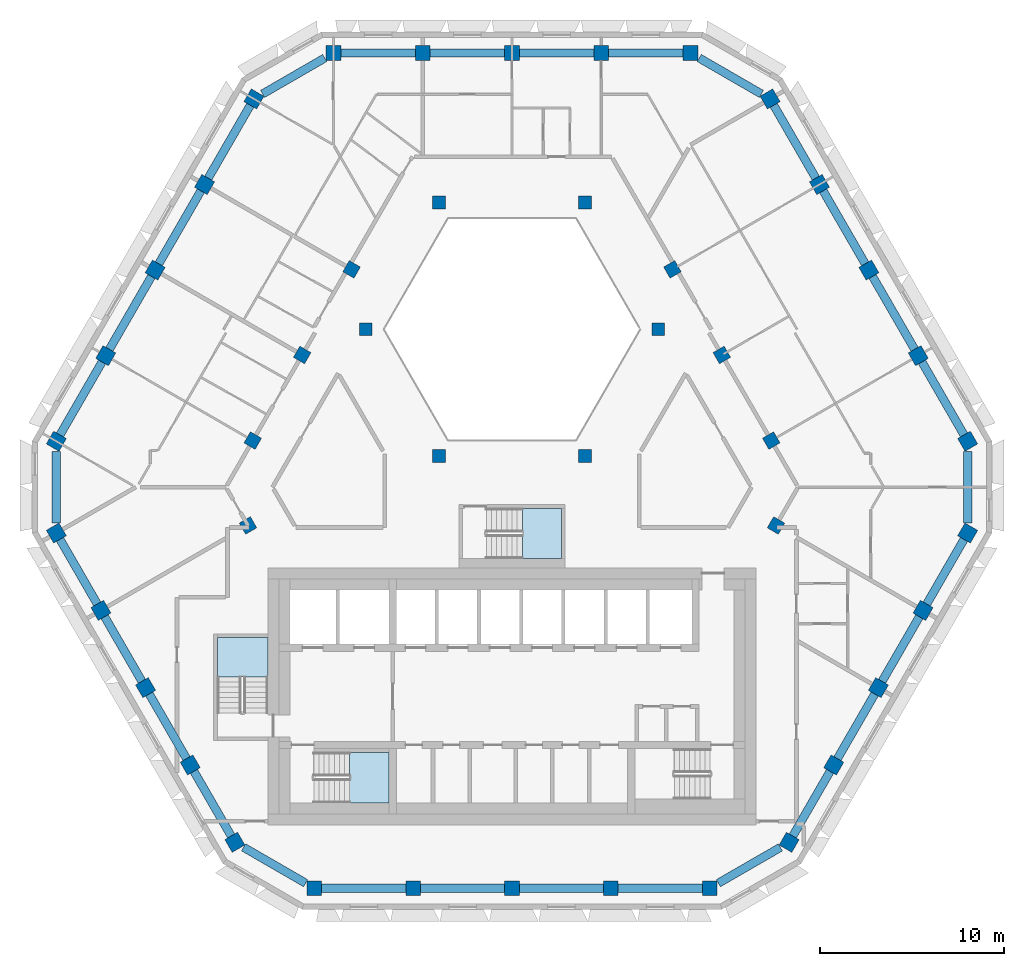
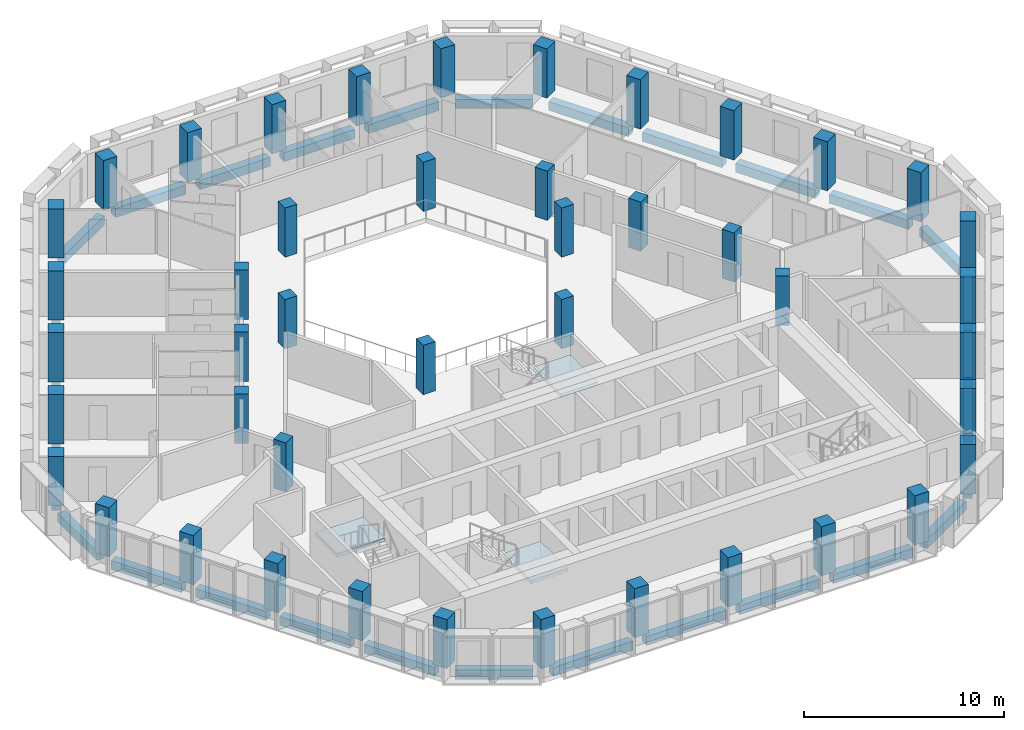
# One storey, part 1 of 15: 44 columns, 30 beams, 3 slabs, 3 elements without a shape of their own.
"""IFC4 building model written with IfcOpenShell, lengths in metres."""

from ifc_helpers import new_model, si_unit, direction, frame, origin, origin_2d, place, context, subcontext, project, spatial, polyline, rectangle, outline, extrude, material, layer, layer_set, material_profile, profile_set, type_object, element, aggregate, save


model = new_model("IFC4")

# Units and contexts
model_context = context("Model", 3, precision=1e-05, world=origin(), true_north=direction((0.0, 1.0)))
body_context = subcontext(model_context, "Body", "Model", "MODEL_VIEW")
ifc_project = project(units=[si_unit("LENGTHUNIT", "METRE"), si_unit("AREAUNIT", "SQUARE_METRE"), si_unit("VOLUMEUNIT", "CUBIC_METRE"), si_unit("PLANEANGLEUNIT", "RADIAN"), si_unit("MASSUNIT", "GRAM", prefix="KILO")], contexts=[model_context])

# Site, building, storey
site_placement = place(None, origin())
site = spatial("IfcSite", under=ifc_project, at=site_placement, CompositionType="ELEMENT")
building_placement = place(site_placement, origin())
building = spatial("IfcBuilding", under=site, at=building_placement, Name="Beryl Residences", CompositionType="ELEMENT")
storey_placement = place(building_placement, frame((0.0, 0.0, 175.199951171875)))
storey = spatial("IfcBuildingStorey", under=building, at=storey_placement, Name="L53", CompositionType="ELEMENT", Elevation=175.199951171875)

# Columns
ifc_material_1 = material(Name="Concrete C50/60", Category="concrete")
ifc_material_profile_1 = material_profile(ifc_material_1, rectangle(XDim=0.800048828125, YDim=0.800048828125, at=origin_2d()))
ifc_profile_set_1 = profile_set([ifc_material_profile_1], Name="Concrete C50/60")
column_type_1 = type_object("IfcColumnType", Name="C4 tube column 800 x 800 C50/60", PredefinedType="COLUMN", material=ifc_profile_set_1)
for number, where, z_axis, x_axis, name in (
    (1, (9.72802734375, 23.050048828125, 0.0), (0.0, 0.0, 1.0), (-1.0, 0.0, 0.0), "C4-N1 L53"),
    (2, (4.864013671875, 23.050048828125, 0.0), (0.0, 0.0, 1.0), (-1.0, 0.0, 0.0), "C4-N2 L53"),
    (3, (0.0, 23.050048828125, 0.0), (0.0, 0.0, 1.0), (-1.0, 0.0, 0.0), "C4-N3 L53"),
    (4, (-4.864013671875, 23.050048828125, 0.0), (0.0, 0.0, 1.0), (-1.0, 0.0, 0.0), "C4-N4 L53"),
    (5, (-9.72802734375, 23.050048828125, 0.0), (0.0, 0.0, 1.0), (-1.0, 0.0, 0.0), "C4-N5 L53"),
    (6, (-14.05810546875, 20.550048828125, 0.0), (0.0, 0.0, 1.0), (-0.5, -0.866025403784, 0.0), "C4-NW1 L53"),
    (7, (-16.75, 15.887939453125, 0.0), (0.0, 0.0, 1.0), (-0.5, -0.866025403784, 0.0), "C4-NW2 L53"),
    (8, (-19.44189453125, 11.22509765625, 0.0), (0.0, 0.0, 1.0), (-0.5, -0.866025403784, 0.0), "C4-NW3 L53"),
    (9, (-22.134033203125, 6.56201171875, 0.0), (0.0, 0.0, 1.0), (-0.5, -0.866025403784, 0.0), "C4-NW4 L53"),
    (10, (-24.825927734375, 1.89990234375, 0.0), (0.0, 0.0, 1.0), (-0.5, -0.866025403784, 0.0), "C4-NW5 L53"),
    (11, (-24.825927734375, -3.09912109375, 0.0), (0.0, 0.0, 1.0), (0.5, -0.866025403784, 0.0), "C4-SW1 L53"),
    (12, (-22.39404296875, -7.31201171875, 0.0), (0.0, 0.0, 1.0), (0.5, -0.866025403784, 0.0), "C4-SW2 L53"),
    (13, (-19.9619140625, -11.52392578125, 0.0), (0.0, 0.0, 1.0), (0.5, -0.866025403784, 0.0), "C4-SW3 L53"),
    (14, (-17.530029296875, -15.736083984375, 0.0), (0.0, 0.0, 1.0), (0.5, -0.866025403784, 0.0), "C4-SW4 L53"),
    (15, (-15.097900390625, -19.948974609375, 0.0), (0.0, 0.0, 1.0), (0.5, -0.866025403784, 0.0), "C4-SW5 L53"),
    (16, (-10.76708984375, -22.449951171875, 0.0), (0.0, 0.0, 1.0), (1.0, 0.0, 0.0), "C4-S1 L53"),
    (17, (-5.383056640625, -22.449951171875, 0.0), (0.0, 0.0, 1.0), (1.0, 0.0, 0.0), "C4-S2 L53"),
    (18, (0.0009765625, -22.449951171875, 0.0), (0.0, 0.0, 1.0), (1.0, 0.0, 0.0), "C4-S3 L53"),
    (19, (5.385009765625, -22.449951171875, 0.0), (0.0, 0.0, 1.0), (1.0, 0.0, 0.0), "C4-S4 L53"),
    (20, (10.76904296875, -22.449951171875, 0.0), (0.0, 0.0, 1.0), (1.0, 0.0, 0.0), "C4-S5 L53"),
    (21, (15.096923828125, -19.950927734375, 0.0), (0.0, 0.0, 1.0), (0.5, 0.866025403784, 0.0), "C4-SE1 L53"),
    (22, (17.529052734375, -15.738037109375, 0.0), (0.0, 0.0, 1.0), (0.5, 0.866025403784, 0.0), "C4-SE2 L53"),
    (23, (19.9609375, -11.52587890625, 0.0), (0.0, 0.0, 1.0), (0.5, 0.866025403784, 0.0), "C4-SE3 L53"),
    (24, (22.39306640625, -7.31396484375, 0.0), (0.0, 0.0, 1.0), (0.5, 0.866025403784, 0.0), "C4-SE4 L53"),
    (25, (24.824951171875, -3.10107421875, 0.0), (0.0, 0.0, 1.0), (0.5, 0.866025403784, 0.0), "C4-SE5 L53"),
    (26, (24.825927734375, 1.89990234375, 0.0), (0.0, 0.0, 1.0), (-0.5, 0.866025403784, 0.0), "C4-NE1 L53"),
    (27, (22.134033203125, 6.56201171875, 0.0), (0.0, 0.0, 1.0), (-0.5, 0.866025403784, 0.0), "C4-NE2 L53"),
    (28, (19.44189453125, 11.22509765625, 0.0), (0.0, 0.0, 1.0), (-0.5, 0.866025403784, 0.0), "C4-NE3 L53"),
    (29, (16.75, 15.887939453125, 0.0), (0.0, 0.0, 1.0), (-0.5, 0.866025403784, 0.0), "C4-NE4 L53"),
    (30, (14.05810546875, 20.550048828125, 0.0), (0.0, 0.0, 1.0), (-0.5, 0.866025403784, 0.0), "C4-NE5 L53"),
):
    element("IfcColumn", number, at=place(storey_placement, frame(where, z_axis=z_axis, x_axis=x_axis)), inside=storey, type_object=column_type_1, Name=name, PredefinedType="COLUMN", context=body_context, shape_type="SweptSolid", body=[
        extrude(rectangle(XDim=0.800048828125, YDim=0.800048828125, at=origin_2d()), origin(), (0.0, 0.0, 1.0), 3.0),
    ])
ifc_material_2 = material(Name="Concrete C50/60", Category="concrete")
ifc_material_profile_2 = material_profile(ifc_material_2, rectangle(XDim=0.699951171875, YDim=0.699951171875, at=origin_2d()))
ifc_profile_set_2 = profile_set([ifc_material_profile_2], Name="Concrete C50/60")
column_type_2 = type_object("IfcColumnType", Name="IC4 interior column 700 x 700 C50/60", PredefinedType="COLUMN", material=ifc_profile_set_2)
for number, where, z_axis, x_axis, name in (
    (31, (-14.383056640625, -2.68701171875, 0.0), (0.0, 0.0, 1.0), (0.5, -0.866025403784, 0.0), "IC4-M01 L53"),
    (32, (14.382080078125, -2.68896484375, 0.0), (0.0, 0.0, 1.0), (0.5, 0.866025403784, 0.0), "IC4-M02 L53"),
    (33, (14.123046875, 1.93701171875, 0.0), (0.0, 0.0, 1.0), (-0.5, 0.866025403784, 0.0), "IC4-M03 L53"),
    (34, (3.98388671875, 1.10009765625, 0.0), (0.0, 0.0, 1.0), (1.0, 0.0, 0.0), "IC4-A04 L53"),
    (35, (11.430908203125, 6.60009765625, 0.0), (0.0, 0.0, 1.0), (-0.5, 0.866025403784, 0.0), "IC4-M05 L53"),
    (36, (7.967041015625, 8.0, 0.0), (0.0, 0.0, 1.0), (1.0, 0.0, 0.0), "IC4-A06 L53"),
    (37, (8.739013671875, 11.262939453125, 0.0), (0.0, 0.0, 1.0), (-0.5, 0.866025403784, 0.0), "IC4-M07 L53"),
    (38, (3.98388671875, 14.89990234375, 0.0), (0.0, 0.0, 1.0), (1.0, 0.0, 0.0), "IC4-A08 L53"),
    (39, (-3.98388671875, 14.89990234375, 0.0), (0.0, 0.0, 1.0), (1.0, 0.0, 0.0), "IC4-A09 L53"),
    (40, (-8.739013671875, 11.262939453125, 0.0), (0.0, 0.0, 1.0), (-0.5, -0.866025403784, 0.0), "IC4-M10 L53"),
    (41, (-7.967041015625, 8.0, 0.0), (0.0, 0.0, 1.0), (1.0, 0.0, 0.0), "IC4-A11 L53"),
    (42, (-11.430908203125, 6.60009765625, 0.0), (0.0, 0.0, 1.0), (-0.5, -0.866025403784, 0.0), "IC4-M12 L53"),
    (43, (-3.98388671875, 1.10009765625, 0.0), (0.0, 0.0, 1.0), (1.0, 0.0, 0.0), "IC4-A13 L53"),
    (44, (-14.123046875, 1.93701171875, 0.0), (0.0, 0.0, 1.0), (-0.5, -0.866025403784, 0.0), "IC4-M14 L53"),
):
    element("IfcColumn", number, at=place(storey_placement, frame(where, z_axis=z_axis, x_axis=x_axis)), inside=storey, type_object=column_type_2, Name=name, PredefinedType="COLUMN", context=body_context, shape_type="SweptSolid", body=[
        extrude(rectangle(XDim=0.699951171875, YDim=0.699951171875, at=origin_2d()), origin(), (0.0, 0.0, 1.0), 3.0),
    ])

# Beams
ifc_material_3 = material(Name="Concrete C50/60", Category="concrete")
ifc_material_profile_3 = material_profile(ifc_material_3, rectangle(XDim=0.449951171875, YDim=0.550048828125, at=origin_2d()))
ifc_profile_set_3 = profile_set([ifc_material_profile_3], Name="Concrete C50/60")
beam_type = type_object("IfcBeamType", Name="SB4 spandrel beam 450 x 550 C50/60", PredefinedType="SPANDREL", material=ifc_profile_set_3)
beam_1_placement = place(storey_placement, frame((9.327880859375, 23.050048828125, -0.574951171875), z_axis=(-1.0, 0.0, 0.0), x_axis=(0.0, -1.0, 0.0)))
element("IfcBeam", 45, at=beam_1_placement, inside=storey, type_object=beam_type, Name="SB4 L53 N-0", PredefinedType="SPANDREL", context=body_context, shape_type="SweptSolid", body=[
    extrude(rectangle(XDim=0.449951171875, YDim=0.550048828125, at=origin_2d()), origin(), (0.0, 0.0, 1.0), 4.06396484375),
])
for number, where, z_axis, x_axis, name in (
    (46, (4.464111328125, 23.050048828125, -0.574951171875), (-1.0, 0.0, 0.0), (0.0, -1.0, 0.0), "SB4 L53 N-1"),
    (47, (-0.39990234375, 23.050048828125, -0.574951171875), (-1.0, 0.0, 0.0), (0.0, -1.0, 0.0), "SB4 L53 N-2"),
):
    element("IfcBeam", number, at=place(storey_placement, frame(where, z_axis=z_axis, x_axis=x_axis)), inside=storey, type_object=beam_type, Name=name, PredefinedType="SPANDREL", context=body_context, shape_type="SweptSolid", body=[
        extrude(rectangle(XDim=0.449951171875, YDim=0.550048828125, at=origin_2d()), origin(), (0.0, 0.0, 1.0), 4.064208984375),
    ])
beam_2_placement = place(storey_placement, frame((-5.263916015625, 23.050048828125, -0.574951171875), z_axis=(-1.0, 0.0, 0.0), x_axis=(0.0, -1.0, 0.0)))
element("IfcBeam", 48, at=beam_2_placement, inside=storey, type_object=beam_type, Name="SB4 L53 N-3", PredefinedType="SPANDREL", context=body_context, shape_type="SweptSolid", body=[
    extrude(rectangle(XDim=0.449951171875, YDim=0.550048828125, at=origin_2d()), origin(), (0.0, 0.0, 1.0), 4.06396484375),
])
beam_3_placement = place(storey_placement, frame((-10.200927734375, 22.777099609375, -0.574951171875), z_axis=(-0.865988935984, -0.500063158763, 0.0), x_axis=(0.500063158763, -0.865988935984, 0.0)))
element("IfcBeam", 49, at=beam_3_placement, inside=storey, type_object=beam_type, Name="SB4 L53 N-4", PredefinedType="SPANDREL", context=body_context, shape_type="SweptSolid", body=[
    extrude(rectangle(XDim=0.449951171875, YDim=0.550048828125, at=origin_2d()), origin(), (0.0, 0.0, 1.0), 3.90771484375),
])
beam_4_placement = place(storey_placement, frame((-14.258056640625, 20.2041015625, -0.574951171875), z_axis=(-0.499965247104, -0.866045467449, 0.0), x_axis=(0.866045467449, -0.499965247104, 0.0)))
element("IfcBeam", 50, at=beam_4_placement, inside=storey, type_object=beam_type, Name="SB4 L53 NW-0", PredefinedType="SPANDREL", context=body_context, shape_type="SweptSolid", body=[
    extrude(rectangle(XDim=0.449951171875, YDim=0.550048828125, at=origin_2d()), origin(), (0.0, 0.0, 1.0), 4.584228515625),
])
for number, where, z_axis, x_axis, name in (
    (51, (-16.949951171875, 15.5419921875, -0.574951171875), (-0.499896077001, -0.866085395443, 0.0), (0.866085395443, -0.499896077001, 0.0), "SB4 L53 NW-1"),
    (52, (-19.64208984375, 10.87890625, -0.574951171875), (-0.499896077001, -0.866085395443, 0.0), (0.866085395443, -0.499896077001, 0.0), "SB4 L53 NW-2"),
):
    element("IfcBeam", number, at=place(storey_placement, frame(where, z_axis=z_axis, x_axis=x_axis)), inside=storey, type_object=beam_type, Name=name, PredefinedType="SPANDREL", context=body_context, shape_type="SweptSolid", body=[
        extrude(rectangle(XDim=0.449951171875, YDim=0.550048828125, at=origin_2d()), origin(), (0.0, 0.0, 1.0), 4.5849609375),
    ])
beam_5_placement = place(storey_placement, frame((-22.333984375, 6.216064453125, -0.574951171875), z_axis=(-0.49998830735, -0.866032154434, 0.0), x_axis=(0.866032154434, -0.49998830735, 0.0)))
element("IfcBeam", 53, at=beam_5_placement, inside=storey, type_object=beam_type, Name="SB4 L53 NW-3", PredefinedType="SPANDREL", context=body_context, shape_type="SweptSolid", body=[
    extrude(rectangle(XDim=0.449951171875, YDim=0.550048828125, at=origin_2d()), origin(), (0.0, 0.0, 1.0), 4.583984375),
])
beam_6_placement = place(storey_placement, frame((-24.825927734375, 1.35400390625, -0.574951171875), z_axis=(0.0, -1.0, 0.0), x_axis=(1.0, 0.0, 0.0)))
element("IfcBeam", 54, at=beam_6_placement, inside=storey, type_object=beam_type, Name="SB4 L53 NW-4", PredefinedType="SPANDREL", context=body_context, shape_type="SweptSolid", body=[
    extrude(rectangle(XDim=0.449951171875, YDim=0.550048828125, at=origin_2d()), origin(), (0.0, 0.0, 1.0), 3.906982421875),
])
beam_7_placement = place(storey_placement, frame((-24.6259765625, -3.445068359375, -0.574951171875), z_axis=(0.499840293234, -0.866117590896, 0.0), x_axis=(0.866117590896, 0.499840293234, 0.0)))
element("IfcBeam", 55, at=beam_7_placement, inside=storey, type_object=beam_type, Name="SB4 L53 SW-0", PredefinedType="SPANDREL", context=body_context, shape_type="SweptSolid", body=[
    extrude(rectangle(XDim=0.449951171875, YDim=0.550048828125, at=origin_2d()), origin(), (0.0, 0.0, 1.0), 4.065185546875),
])
beam_8_placement = place(storey_placement, frame((-22.194091796875, -7.657958984375, -0.574951171875), z_axis=(0.499944307952, -0.866057555216, 0.0), x_axis=(0.866057555216, 0.499944307952, 0.0)))
element("IfcBeam", 56, at=beam_8_placement, inside=storey, type_object=beam_type, Name="SB4 L53 SW-1", PredefinedType="SPANDREL", context=body_context, shape_type="SweptSolid", body=[
    extrude(rectangle(XDim=0.449951171875, YDim=0.550048828125, at=origin_2d()), origin(), (0.0, 0.0, 1.0), 4.064453125),
])
beam_9_placement = place(storey_placement, frame((-19.761962890625, -11.8701171875, -0.574951171875), z_axis=(0.499970317269, -0.866042540439, 0.0), x_axis=(0.866042540439, 0.499970317269, 0.0)))
element("IfcBeam", 57, at=beam_9_placement, inside=storey, type_object=beam_type, Name="SB4 L53 SW-2", PredefinedType="SPANDREL", context=body_context, shape_type="SweptSolid", body=[
    extrude(rectangle(XDim=0.449951171875, YDim=0.550048828125, at=origin_2d()), origin(), (0.0, 0.0, 1.0), 4.064208984375),
])
beam_10_placement = place(storey_placement, frame((-17.330078125, -16.08203125, -0.574951171875), z_axis=(0.499840293234, -0.866117590896, 0.0), x_axis=(0.866117590896, 0.499840293234, 0.0)))
element("IfcBeam", 58, at=beam_10_placement, inside=storey, type_object=beam_type, Name="SB4 L53 SW-3", PredefinedType="SPANDREL", context=body_context, shape_type="SweptSolid", body=[
    extrude(rectangle(XDim=0.449951171875, YDim=0.550048828125, at=origin_2d()), origin(), (0.0, 0.0, 1.0), 4.065185546875),
])
beam_11_placement = place(storey_placement, frame((-14.625, -20.221923828125, -0.574951171875), z_axis=(0.865943218558, -0.500142321977, 0.0), x_axis=(0.500142321977, 0.865943218558, 0.0)))
element("IfcBeam", 59, at=beam_11_placement, inside=storey, type_object=beam_type, Name="SB4 L53 SW-4", PredefinedType="SPANDREL", context=body_context, shape_type="SweptSolid", body=[
    extrude(rectangle(XDim=0.449951171875, YDim=0.550048828125, at=origin_2d()), origin(), (0.0, 0.0, 1.0), 3.908935546875),
])
for number, where, z_axis, x_axis, name in (
    (60, (-10.366943359375, -22.449951171875, -0.574951171875), (1.0, 0.0, 0.0), (0.0, 1.0, 0.0), "SB4 L53 S-0"),
    (61, (-4.98291015625, -22.449951171875, -0.574951171875), (1.0, 0.0, 0.0), (0.0, 1.0, 0.0), "SB4 L53 S-1"),
):
    element("IfcBeam", number, at=place(storey_placement, frame(where, z_axis=z_axis, x_axis=x_axis)), inside=storey, type_object=beam_type, Name=name, PredefinedType="SPANDREL", context=body_context, shape_type="SweptSolid", body=[
        extrude(rectangle(XDim=0.449951171875, YDim=0.550048828125, at=origin_2d()), origin(), (0.0, 0.0, 1.0), 4.583984375),
    ])
beam_12_placement = place(storey_placement, frame((0.40087890625, -22.449951171875, -0.574951171875), z_axis=(1.0, 0.0, 0.0), x_axis=(0.0, 1.0, 0.0)))
element("IfcBeam", 62, at=beam_12_placement, inside=storey, type_object=beam_type, Name="SB4 L53 S-2", PredefinedType="SPANDREL", context=body_context, shape_type="SweptSolid", body=[
    extrude(rectangle(XDim=0.449951171875, YDim=0.550048828125, at=origin_2d()), origin(), (0.0, 0.0, 1.0), 4.584228515625),
])
beam_13_placement = place(storey_placement, frame((5.784912109375, -22.449951171875, -0.574951171875), z_axis=(1.0, 0.0, 0.0), x_axis=(0.0, 1.0, 0.0)))
element("IfcBeam", 63, at=beam_13_placement, inside=storey, type_object=beam_type, Name="SB4 L53 S-3", PredefinedType="SPANDREL", context=body_context, shape_type="SweptSolid", body=[
    extrude(rectangle(XDim=0.449951171875, YDim=0.550048828125, at=origin_2d()), origin(), (0.0, 0.0, 1.0), 4.583984375),
])
beam_14_placement = place(storey_placement, frame((11.241943359375, -22.177001953125, -0.574951171875), z_axis=(0.865999234303, 0.500045324131, 0.0), x_axis=(-0.500045324131, 0.865999234303, 0.0)))
element("IfcBeam", 64, at=beam_14_placement, inside=storey, type_object=beam_type, Name="SB4 L53 S-4", PredefinedType="SPANDREL", context=body_context, shape_type="SweptSolid", body=[
    extrude(rectangle(XDim=0.449951171875, YDim=0.550048828125, at=origin_2d()), origin(), (0.0, 0.0, 1.0), 3.905517578125),
])
beam_15_placement = place(storey_placement, frame((15.297119140625, -19.60498046875, -0.574951171875), z_axis=(0.499840293234, 0.866117590896, 0.0), x_axis=(-0.866117590896, 0.499840293234, 0.0)))
element("IfcBeam", 65, at=beam_15_placement, inside=storey, type_object=beam_type, Name="SB4 L53 SE-0", PredefinedType="SPANDREL", context=body_context, shape_type="SweptSolid", body=[
    extrude(rectangle(XDim=0.449951171875, YDim=0.550048828125, at=origin_2d()), origin(), (0.0, 0.0, 1.0), 4.065185546875),
])
for number, where, z_axis, x_axis, name in (
    (66, (17.72900390625, -15.39208984375, -0.574951171875), (0.499944307952, 0.866057555216, 0.0), (-0.866057555216, 0.499944307952, 0.0), "SB4 L53 SE-1"),
    (67, (20.160888671875, -11.179931640625, -0.574951171875), (0.499989360119, 0.866031546636, 0.0), (-0.866031546636, 0.499989360119, 0.0), "SB4 L53 SE-2"),
):
    element("IfcBeam", number, at=place(storey_placement, frame(where, z_axis=z_axis, x_axis=x_axis)), inside=storey, type_object=beam_type, Name=name, PredefinedType="SPANDREL", context=body_context, shape_type="SweptSolid", body=[
        extrude(rectangle(XDim=0.449951171875, YDim=0.550048828125, at=origin_2d()), origin(), (0.0, 0.0, 1.0), 4.064453125),
    ])
beam_16_placement = place(storey_placement, frame((22.593017578125, -6.968017578125, -0.574951171875), z_axis=(0.499840293234, 0.866117590896, 0.0), x_axis=(-0.866117590896, 0.499840293234, 0.0)))
element("IfcBeam", 68, at=beam_16_placement, inside=storey, type_object=beam_type, Name="SB4 L53 SE-3", PredefinedType="SPANDREL", context=body_context, shape_type="SweptSolid", body=[
    extrude(rectangle(XDim=0.449951171875, YDim=0.550048828125, at=origin_2d()), origin(), (0.0, 0.0, 1.0), 4.065185546875),
])
beam_17_placement = place(storey_placement, frame((24.824951171875, -2.554931640625, -0.574951171875), z_axis=(0.000249828235, 0.999999968793, 0.0), x_axis=(-0.999999968793, 0.000249828235, 0.0)))
element("IfcBeam", 69, at=beam_17_placement, inside=storey, type_object=beam_type, Name="SB4 L53 SE-4", PredefinedType="SPANDREL", context=body_context, shape_type="SweptSolid", body=[
    extrude(rectangle(XDim=0.449951171875, YDim=0.550048828125, at=origin_2d()), origin(), (0.0, 0.0, 1.0), 3.908935546875),
])
beam_18_placement = place(storey_placement, frame((24.6259765625, 2.24609375, -0.574951171875), z_axis=(-0.49998830735, 0.866032154434, 0.0), x_axis=(-0.866032154434, -0.49998830735, 0.0)))
element("IfcBeam", 70, at=beam_18_placement, inside=storey, type_object=beam_type, Name="SB4 L53 NE-0", PredefinedType="SPANDREL", context=body_context, shape_type="SweptSolid", body=[
    extrude(rectangle(XDim=0.449951171875, YDim=0.550048828125, at=origin_2d()), origin(), (0.0, 0.0, 1.0), 4.583984375),
])
for number, where, z_axis, x_axis, name in (
    (71, (21.93408203125, 6.907958984375, -0.574951171875), (-0.499896077001, 0.866085395443, 0.0), (-0.866085395443, -0.499896077001, 0.0), "SB4 L53 NE-1"),
    (72, (19.241943359375, 11.571044921875, -0.574951171875), (-0.499896077001, 0.866085395443, 0.0), (-0.866085395443, -0.499896077001, 0.0), "SB4 L53 NE-2"),
):
    element("IfcBeam", number, at=place(storey_placement, frame(where, z_axis=z_axis, x_axis=x_axis)), inside=storey, type_object=beam_type, Name=name, PredefinedType="SPANDREL", context=body_context, shape_type="SweptSolid", body=[
        extrude(rectangle(XDim=0.449951171875, YDim=0.550048828125, at=origin_2d()), origin(), (0.0, 0.0, 1.0), 4.5849609375),
    ])
beam_19_placement = place(storey_placement, frame((16.550048828125, 16.23388671875, -0.574951171875), z_axis=(-0.499965247104, 0.866045467449, 0.0), x_axis=(-0.866045467449, -0.499965247104, 0.0)))
element("IfcBeam", 73, at=beam_19_placement, inside=storey, type_object=beam_type, Name="SB4 L53 NE-3", PredefinedType="SPANDREL", context=body_context, shape_type="SweptSolid", body=[
    extrude(rectangle(XDim=0.449951171875, YDim=0.550048828125, at=origin_2d()), origin(), (0.0, 0.0, 1.0), 4.584228515625),
])
beam_20_placement = place(storey_placement, frame((13.5849609375, 20.822998046875, -0.574951171875), z_axis=(-0.865988935984, 0.500063158763, 0.0), x_axis=(-0.500063158763, -0.865988935984, 0.0)))
element("IfcBeam", 74, at=beam_20_placement, inside=storey, type_object=beam_type, Name="SB4 L53 NE-4", PredefinedType="SPANDREL", context=body_context, shape_type="SweptSolid", body=[
    extrude(rectangle(XDim=0.449951171875, YDim=0.550048828125, at=origin_2d()), origin(), (0.0, 0.0, 1.0), 3.90771484375),
])

# Stair, slab
ifc_material_4 = material(Name="Concrete C40/50", Category="concrete")
stair_type = type_object("IfcStairType", Name="ST1 protected exit stair, half-turn, 1300 mm flights", PredefinedType="HALF_TURN_STAIR", material=ifc_material_4)
stair_1_placement = place(storey_placement, origin())
stair_1 = element("IfcStair", 75, at=stair_1_placement, inside=storey, type_object=stair_type, Name="L53 PROTECTED EXIT STAIR ST-1", PredefinedType="HALF_TURN_STAIR")
ifc_material_5 = material(Name="Concrete C40/50", Category="concrete")
ifc_layer = layer(ifc_material_5, 0.199951171875)
ifc_layer_set = layer_set([ifc_layer], Name="SLD1 stair landing 200 mm")
slab_type = type_object("IfcSlabType", Name="SLD1 stair landing 200 mm", PredefinedType="LANDING", material=ifc_layer_set)
slab_1_placement = place(storey_placement, frame((0.0, 0.0, 1.300048828125)))
slab_1 = element("IfcSlab", 76, at=slab_1_placement, type_object=slab_type, Name="ST-1 landing 1", PredefinedType="LANDING", context=body_context, shape_type="SweptSolid", body=[
    extrude(outline(polyline([(-8.840087890625, -17.800048828125), (-6.699951171875, -17.800048828125), (-6.699951171875, -15.050048828125), (-8.840087890625, -15.050048828125), (-8.840087890625, -17.800048828125)])), origin(), (0.0, 0.0, 1.0), 0.199951171875),
])
aggregate(stair_1, [slab_1])

stair_2_placement = place(storey_placement, origin())
stair_2 = element("IfcStair", 77, at=stair_2_placement, inside=storey, type_object=stair_type, Name="L53 PROTECTED EXIT STAIR ST-2", PredefinedType="HALF_TURN_STAIR")
slab_2_placement = place(storey_placement, frame((0.0, 0.0, 1.300048828125)))
slab_2 = element("IfcSlab", 78, at=slab_2_placement, type_object=slab_type, Name="ST-2 landing 1", PredefinedType="LANDING", context=body_context, shape_type="SweptSolid", body=[
    extrude(outline(polyline([(-13.300048828125, -10.93994140625), (-13.300048828125, -8.800048828125), (-16.050048828125, -8.800048828125), (-16.050048828125, -10.93994140625), (-13.300048828125, -10.93994140625)])), origin(), (0.0, 0.0, 1.0), 0.199951171875),
])
aggregate(stair_2, [slab_2])

stair_3_placement = place(storey_placement, origin())
stair_3 = element("IfcStair", 79, at=stair_3_placement, inside=storey, type_object=stair_type, Name="L53 PROTECTED EXIT STAIR ST-4", PredefinedType="HALF_TURN_STAIR")
slab_3_placement = place(storey_placement, frame((0.0, 0.0, 1.300048828125)))
slab_3 = element("IfcSlab", 80, at=slab_3_placement, type_object=slab_type, Name="ST-4 landing 1", PredefinedType="LANDING", context=body_context, shape_type="SweptSolid", body=[
    extrude(outline(polyline([(0.56005859375, -4.5), (2.699951171875, -4.5), (2.699951171875, -1.75), (0.56005859375, -1.75), (0.56005859375, -4.5)])), origin(), (0.0, 0.0, 1.0), 0.199951171875),
])
aggregate(stair_3, [slab_3])

save(model, "model.ifc")
